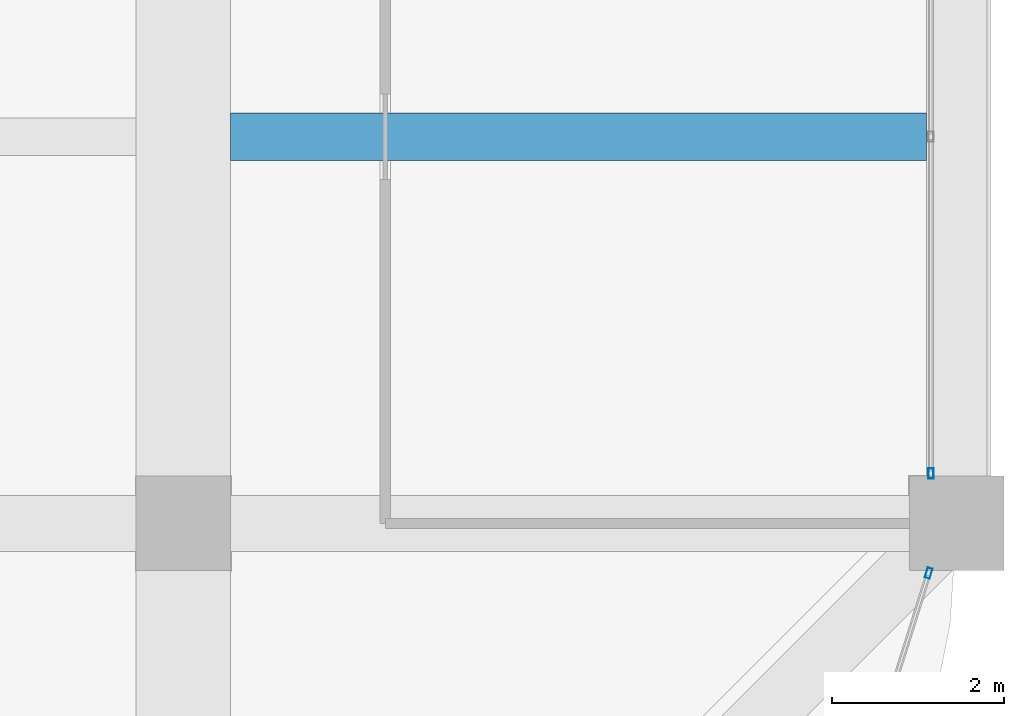
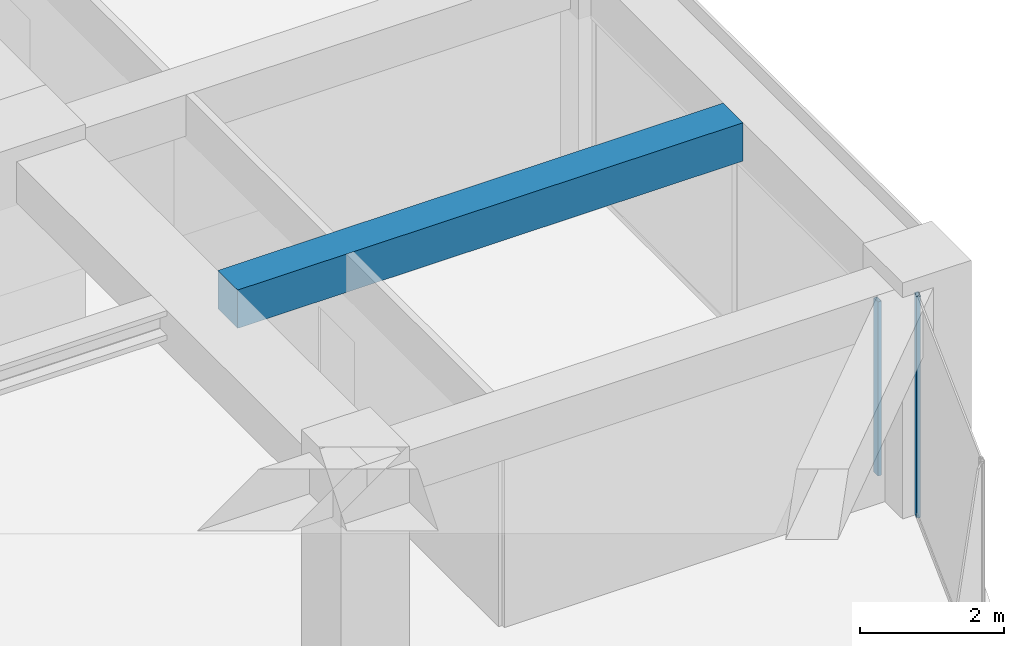
# One storey, part 22 of 44: 2 members, 1 beam, 2 elements without a shape of their own.
"""IFC4 building model written with IfcOpenShell, lengths in metres."""

from ifc_helpers import new_model, si_unit, direction, frame, origin, origin_2d, place, context, subcontext, project, spatial, rectangle, hollow_rectangle, extrude, material, material_profile, profile_set, type_object, element, aggregate, save


model = new_model("IFC4")

# Units and contexts
model_context = context("Model", 3, precision=1e-05, world=origin(), true_north=direction((0.0, 1.0)))
body_context = subcontext(model_context, "Body", "Model", "MODEL_VIEW")
ifc_project = project(units=[si_unit("LENGTHUNIT", "METRE"), si_unit("AREAUNIT", "SQUARE_METRE"), si_unit("VOLUMEUNIT", "CUBIC_METRE"), si_unit("PLANEANGLEUNIT", "RADIAN"), si_unit("MASSUNIT", "GRAM", prefix="KILO")], contexts=[model_context])

# Site, building, storey
site_placement = place(None, origin())
site = spatial("IfcSite", under=ifc_project, at=site_placement, CompositionType="ELEMENT")
building_placement = place(site_placement, origin())
building = spatial("IfcBuilding", under=site, at=building_placement, Name="Zorevar Civic Tower", CompositionType="ELEMENT")
storey_placement = place(building_placement, frame((0.0, 0.0, 275.39990234375)))
storey = spatial("IfcBuildingStorey", under=building, at=storey_placement, Name="L67", CompositionType="ELEMENT", Elevation=275.39990234375)

# Beam
ifc_material_1 = material(Name="Concrete C50/60", Category="concrete")
ifc_material_profile_1 = material_profile(ifc_material_1, rectangle(XDim=0.550048828125, YDim=0.64990234375, at=origin_2d()), Name="RC 550x650")
ifc_profile_set_1 = profile_set([ifc_material_profile_1], Name="Concrete C50/60")
beam_type = type_object("IfcBeamType", Name="Beam RC 550x650", PredefinedType="BEAM", material=ifc_profile_set_1)
beam_placement = place(storey_placement, frame((45.550048828125, 13.5, 3.425048828125), z_axis=(1.0, 0.0, 0.0), x_axis=(0.0, 1.0, 0.0)))
element("IfcBeam", 1, at=beam_placement, inside=storey, type_object=beam_type, Name="Secondary beam L68", PredefinedType="BEAM", context=body_context, shape_type="SweptSolid", body=[
    extrude(rectangle(XDim=0.550048828125, YDim=0.64990234375, at=origin_2d()), origin(), (0.0, 0.0, 1.0), 8.099853515625),
])

# Curtain wall, member
ifc_material_2 = material(Name="Dark grey solar-control glass in black aluminium frame", Category="aluminium")
curtain_wall_type = type_object("IfcCurtainWallType", Name="Curtain wall CW5 top zone", PredefinedType="NOTDEFINED", material=ifc_material_2)
curtain_wall_1_placement = place(storey_placement, origin())
curtain_wall_1 = element("IfcCurtainWall", 2, at=curtain_wall_1_placement, inside=storey, type_object=curtain_wall_type, Name="CW5 L67", PredefinedType="NOTDEFINED")
ifc_material_3 = material(Name="Aluminium, black anodised", Category="aluminium")
ifc_material_profile_2 = material_profile(ifc_material_3, hollow_rectangle(XDim=0.06005859375, YDim=0.1201171875, WallThickness=0.0029296875, at=origin_2d()), Name="AL 120x60x3")
ifc_profile_set_2 = profile_set([ifc_material_profile_2], Name="Aluminium, black anodised")
member_type = type_object("IfcMemberType", Name="CW5 mullion AL 120x60x3", PredefinedType="MULLION", material=ifc_profile_set_2)
member_1_placement = place(storey_placement, frame((53.699951171875, 9.580078125, 0.0), z_axis=(0.0, 0.0, 1.0), x_axis=(-1.0, 0.0, 0.0)))
member_1 = element("IfcMember", 3, at=member_1_placement, type_object=member_type, Name="CW5 mullion 1", PredefinedType="MULLION", context=body_context, shape_type="SweptSolid", body=[
    extrude(hollow_rectangle(XDim=0.06005859375, YDim=0.1201171875, WallThickness=0.0029296875, at=origin_2d()), origin(), (0.0, 0.0, 1.0), 2.9501953125),
])
aggregate(curtain_wall_1, [member_1])

curtain_wall_2_placement = place(storey_placement, origin())
curtain_wall_2 = element("IfcCurtainWall", 4, at=curtain_wall_2_placement, inside=storey, type_object=curtain_wall_type, Name="CW5 L67", PredefinedType="NOTDEFINED")
member_2_placement = place(storey_placement, frame((53.673583984375, 8.42138671875, 0.0), z_axis=(0.0, 0.0, 1.0), x_axis=(-0.954153437674, 0.299317920238, 0.0)))
member_2 = element("IfcMember", 5, at=member_2_placement, type_object=member_type, Name="CW5 mullion 2", PredefinedType="MULLION", context=body_context, shape_type="SweptSolid", body=[
    extrude(hollow_rectangle(XDim=0.06005859375, YDim=0.1201171875, WallThickness=0.0029296875, at=origin_2d()), origin(), (0.0, 0.0, 1.0), 3.75),
])
aggregate(curtain_wall_2, [member_2])

save(model, "model.ifc")
